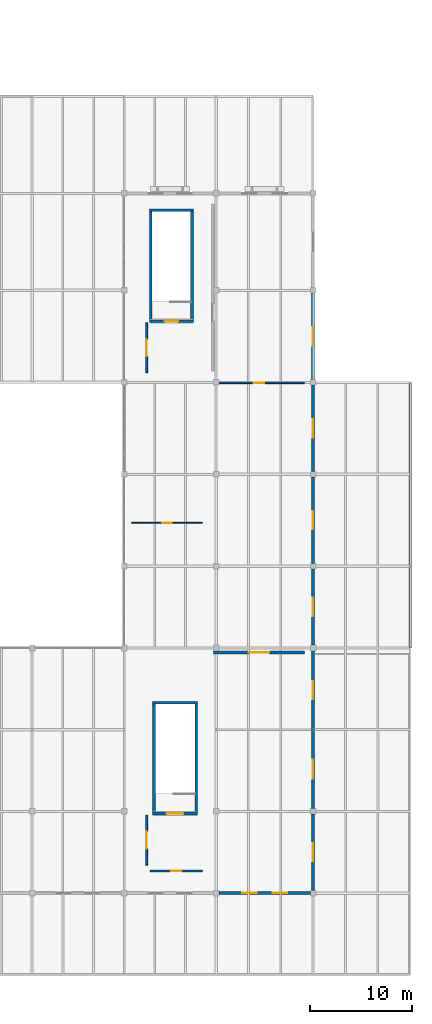
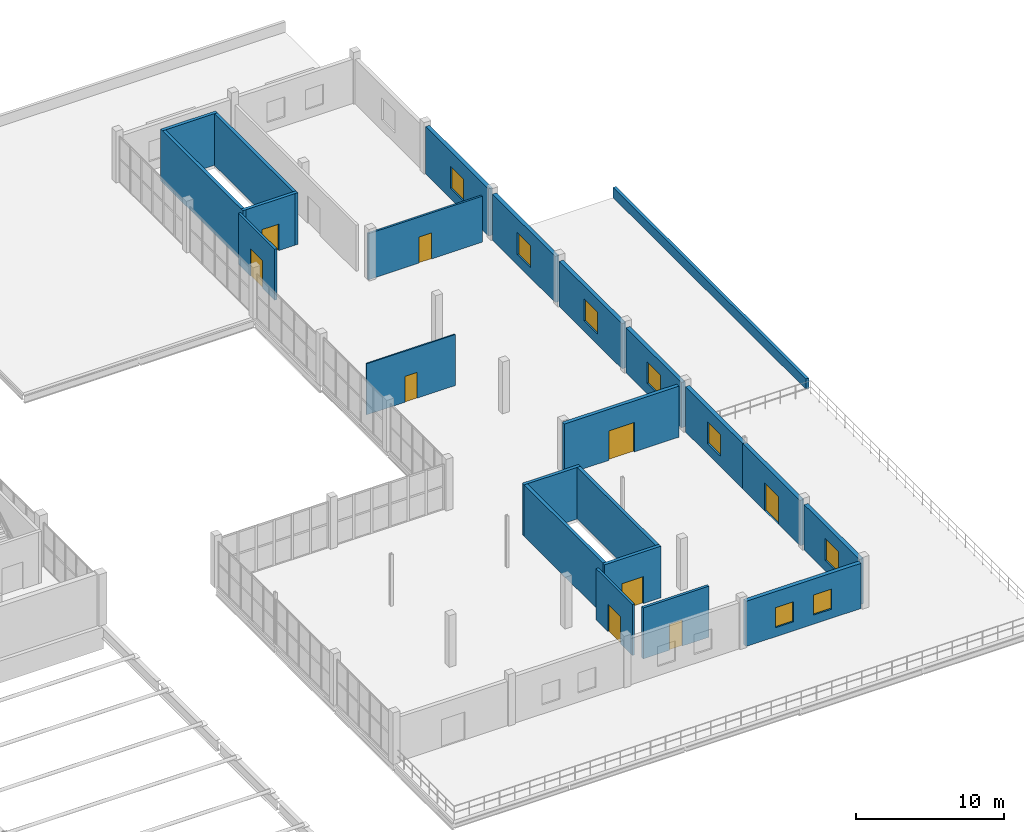
# One storey, part 44 of 54: 23 walls, 9 doors, 8 windows, 17 openings.
"""IFC4 building model written with IfcOpenShell, lengths in metres."""

from ifc_helpers import new_model, si_unit, direction, frame, frame_2d, origin, place, context, subcontext, project, spatial, rectangle, extrude, material, layer, layer_set, type_object, element, fill, save


model = new_model("IFC4")

# Units and contexts
model_context = context("Model", 3, precision=1e-05, world=origin(), true_north=direction((0.0, 1.0)))
body_context = subcontext(model_context, "Body", "Model", "MODEL_VIEW")
ifc_project = project(units=[si_unit("LENGTHUNIT", "METRE"), si_unit("AREAUNIT", "SQUARE_METRE"), si_unit("VOLUMEUNIT", "CUBIC_METRE"), si_unit("PLANEANGLEUNIT", "RADIAN"), si_unit("MASSUNIT", "GRAM", prefix="KILO")], contexts=[model_context])

# Site, building, storey
site_placement = place(None, origin())
site = spatial("IfcSite", under=ifc_project, at=site_placement, CompositionType="ELEMENT")
building_placement = place(site_placement, origin())
building = spatial("IfcBuilding", under=site, at=building_placement, Name="Marnock Terrace Opera House", CompositionType="ELEMENT")
storey_placement = place(building_placement, frame((0.0, 0.0, 19.199951171875)))
storey = spatial("IfcBuildingStorey", under=building, at=storey_placement, Name="L04", CompositionType="ELEMENT", Elevation=19.199951171875)

# Wall, openings, windows
ifc_material_1 = material(Name="Basket Range sandstone ashlar masonry", Category="masonry")
ifc_layer_1 = layer(ifc_material_1, 0.31005859375)
ifc_layer_set_1 = layer_set([ifc_layer_1], Name="Basket Range sandstone ashlar masonry")
wall_type_1 = type_object("IfcWallType", Name="EW-ATTIC-310", PredefinedType="SOLIDWALL", material=ifc_layer_set_1)
wall_1_placement = place(storey_placement, frame((145.27099609375, 16.0, 0.0), z_axis=(0.0, 0.0, 1.0), x_axis=(1.0, 0.0, 0.0)))
wall_1 = element("IfcWall", 1, at=wall_1_placement, inside=storey, type_object=wall_type_1, Name="L04 Volume 5 south sandstone facade 4", PredefinedType="SOLIDWALL", context=body_context, shape_type="SweptSolid", body=[
    extrude(rectangle(XDim=8.9580078125, YDim=0.31005859375, at=frame_2d((4.47900390625, 0.0))), origin(), (0.0, 0.0, 1.0), 3.717041015625),
])
opening_1_placement = place(wall_1_placement, frame((2.285888671875, 0.0, 0.75)))
opening_1 = element("IfcOpeningElement", 2, at=opening_1_placement, cuts=wall_1, Name="Opening WT-138", PredefinedType="OPENING", context=body_context, shape_type="SweptSolid", body=[
    extrude(rectangle(XDim=1.39990234375, YDim=1.64990234375, at=frame_2d((0.699951171875, 0.824951171875))), frame((0.0, 0.1650390625, 0.0), z_axis=(0.0, -1.0, 0.0), x_axis=(1.0, 0.0, 0.0)), (0.0, 0.0, 1.0), 0.330078125),
])
opening_2_placement = place(wall_1_placement, frame((5.27197265625, 0.0, 0.75)))
opening_2 = element("IfcOpeningElement", 3, at=opening_2_placement, cuts=wall_1, Name="Opening WT-138", PredefinedType="OPENING", context=body_context, shape_type="SweptSolid", body=[
    extrude(rectangle(XDim=1.39990234375, YDim=1.64990234375, at=frame_2d((0.699951171875, 0.824951171875))), frame((0.0, 0.1650390625, 0.0), z_axis=(0.0, -1.0, 0.0), x_axis=(1.0, 0.0, 0.0)), (0.0, 0.0, 1.0), 0.330078125),
])
ifc_material_2 = material(Name="Double-glazed acoustic low-E laminated glass", Category="glass")
window_type_1 = type_object("IfcWindowType", Name="WT-ATTIC-1400", PartitioningType="SINGLE_PANEL", PredefinedType="WINDOW", material=ifc_material_2)
window_1_placement = place(opening_1_placement, origin())
window_1 = element("IfcWindow", 4, at=window_1_placement, inside=storey, type_object=window_type_1, Name="L04 facade window EW-V5S-L04-4.1", OverallHeight=1.64990234375, OverallWidth=1.39990234375, PartitioningType="SINGLE_PANEL", PredefinedType="WINDOW", context=body_context, shape_type="SweptSolid", body=[
    extrude(rectangle(XDim=1.39990234375, YDim=1.64990234375, at=frame_2d((0.699951171875, 0.824951171875))), frame((0.0, 0.030029296875, 0.0), z_axis=(0.0, -1.0, 0.0), x_axis=(1.0, 0.0, 0.0)), (0.0, 0.0, 1.0), 0.06005859375),
])
fill(opening_1, window_1)
window_2_placement = place(opening_2_placement, origin())
window_2 = element("IfcWindow", 5, at=window_2_placement, inside=storey, type_object=window_type_1, Name="L04 facade window EW-V5S-L04-4.2", OverallHeight=1.64990234375, OverallWidth=1.39990234375, PartitioningType="SINGLE_PANEL", PredefinedType="WINDOW", context=body_context, shape_type="SweptSolid", body=[
    extrude(rectangle(XDim=1.39990234375, YDim=1.64990234375, at=frame_2d((0.699951171875, 0.824951171875))), frame((0.0, 0.030029296875, 0.0), z_axis=(0.0, -1.0, 0.0), x_axis=(1.0, 0.0, 0.0)), (0.0, 0.0, 1.0), 0.06005859375),
])
fill(opening_2, window_2)

# Wall, opening, window
wall_2_placement = place(storey_placement, frame((154.5, 16.27099609375, 0.0), z_axis=(0.0, 0.0, 1.0), x_axis=(0.0, 1.0, 0.0)))
wall_2 = element("IfcWall", 6, at=wall_2_placement, inside=storey, type_object=wall_type_1, Name="L04 Volume 5 east sandstone facade 2", PredefinedType="SOLIDWALL", context=body_context, shape_type="SweptSolid", body=[
    extrude(rectangle(XDim=7.4580078125, YDim=0.31005859375, at=frame_2d((3.72900390625, 0.0))), origin(), (0.0, 0.0, 1.0), 3.72216796875),
])
opening_3_placement = place(wall_2_placement, frame((2.8291015625, 0.0, 0.85009765625)))
opening_3 = element("IfcOpeningElement", 7, at=opening_3_placement, cuts=wall_2, Name="Opening WT-16", PredefinedType="OPENING", context=body_context, shape_type="SweptSolid", body=[
    extrude(rectangle(XDim=1.800048828125, YDim=1.800048828125, at=frame_2d((0.89990234375, 0.89990234375))), frame((0.0, 0.1650390625, 0.0), z_axis=(0.0, -1.0, 0.0), x_axis=(1.0, 0.0, 0.0)), (0.0, 0.0, 1.0), 0.330078125),
])
window_type_2 = type_object("IfcWindowType", Name="WT-ATTIC-1800", PartitioningType="DOUBLE_PANEL_VERTICAL", PredefinedType="WINDOW", material=ifc_material_2)
window_3_placement = place(opening_3_placement, origin())
window_3 = element("IfcWindow", 8, at=window_3_placement, inside=storey, type_object=window_type_2, Name="L04 facade window EW-V5E-L04-02.1", OverallHeight=1.800048828125, OverallWidth=1.800048828125, PartitioningType="SINGLE_PANEL", PredefinedType="WINDOW", context=body_context, shape_type="SweptSolid", body=[
    extrude(rectangle(XDim=1.800048828125, YDim=1.800048828125, at=frame_2d((0.89990234375, 0.89990234375))), frame((0.0, 0.030029296875, 0.0), z_axis=(0.0, -1.0, 0.0), x_axis=(1.0, 0.0, 0.0)), (0.0, 0.0, 1.0), 0.06005859375),
])
fill(opening_3, window_3)

# Wall, opening, door
wall_3_placement = place(storey_placement, frame((154.5, 24.27099609375, 0.0), z_axis=(0.0, 0.0, 1.0), x_axis=(0.0, 1.0, 0.0)))
wall_3 = element("IfcWall", 9, at=wall_3_placement, inside=storey, type_object=wall_type_1, Name="L04 Volume 5 east sandstone facade 3", PredefinedType="SOLIDWALL", context=body_context, shape_type="SweptSolid", body=[
    extrude(rectangle(XDim=7.72900390625, YDim=0.31005859375, at=frame_2d((3.864501953125, 0.0))), origin(), (0.0, 0.0, 1.0), 3.72216796875),
])
opening_4_placement = place(wall_3_placement, frame((2.939453125, 0.0, 0.0)))
opening_4 = element("IfcOpeningElement", 10, at=opening_4_placement, cuts=wall_3, Name="Opening TD-06", PredefinedType="OPENING", context=body_context, shape_type="SweptSolid", body=[
    extrude(rectangle(XDim=1.85009765625, YDim=2.280029296875, at=frame_2d((0.925048828125, 1.14013671875))), frame((0.0, 0.1650390625, 0.0), z_axis=(0.0, -1.0, 0.0), x_axis=(1.0, 0.0, 0.0)), (0.0, 0.0, 1.0), 0.330078125),
])
ifc_material_3 = material(Name="Anodised architectural bronze aluminium framing", Category="aluminium")
door_type_1 = type_object("IfcDoorType", Name="DT-TERR-1850", OperationType="NOTDEFINED", PredefinedType="DOOR", material=ifc_material_3)
door_1_placement = place(opening_4_placement, origin())
door_1 = element("IfcDoor", 11, at=door_1_placement, inside=storey, type_object=door_type_1, Name="Exterior door TD-06", OperationType="DOUBLE_DOOR_SINGLE_SWING", OverallHeight=2.280029296875, OverallWidth=1.85009765625, PredefinedType="DOOR", context=body_context, shape_type="SweptSolid", body=[
    extrude(rectangle(XDim=1.85009765625, YDim=2.280029296875, at=frame_2d((0.925048828125, 1.14013671875))), frame((0.0, 0.02490234375, 0.0), z_axis=(0.0, -1.0, 0.0), x_axis=(1.0, 0.0, 0.0)), (0.0, 0.0, 1.0), 0.050048828125),
])
fill(opening_4, door_1)

# Wall, opening, window
wall_4_placement = place(storey_placement, frame((154.5, 32.0, 0.0), z_axis=(0.0, 0.0, 1.0), x_axis=(0.0, 1.0, 0.0)))
wall_4 = element("IfcWall", 12, at=wall_4_placement, inside=storey, type_object=wall_type_1, Name="L04 Volume 5 east sandstone facade 4", PredefinedType="SOLIDWALL", context=body_context, shape_type="SweptSolid", body=[
    extrude(rectangle(XDim=7.72900390625, YDim=0.31005859375, at=frame_2d((3.864501953125, 0.0))), origin(), (0.0, 0.0, 1.0), 3.72216796875),
])
opening_5_placement = place(wall_4_placement, frame((2.964599609375, 0.0, 0.85009765625)))
opening_5 = element("IfcOpeningElement", 13, at=opening_5_placement, cuts=wall_4, Name="Opening WT-16", PredefinedType="OPENING", context=body_context, shape_type="SweptSolid", body=[
    extrude(rectangle(XDim=1.800048828125, YDim=1.800048828125, at=frame_2d((0.89990234375, 0.89990234375))), frame((0.0, 0.1650390625, 0.0), z_axis=(0.0, -1.0, 0.0), x_axis=(1.0, 0.0, 0.0)), (0.0, 0.0, 1.0), 0.330078125),
])
window_4_placement = place(opening_5_placement, origin())
window_4 = element("IfcWindow", 14, at=window_4_placement, inside=storey, type_object=window_type_2, Name="L04 facade window EW-V5E-L04-04.1", OverallHeight=1.800048828125, OverallWidth=1.800048828125, PartitioningType="SINGLE_PANEL", PredefinedType="WINDOW", context=body_context, shape_type="SweptSolid", body=[
    extrude(rectangle(XDim=1.800048828125, YDim=1.800048828125, at=frame_2d((0.89990234375, 0.89990234375))), frame((0.0, 0.030029296875, 0.0), z_axis=(0.0, -1.0, 0.0), x_axis=(1.0, 0.0, 0.0)), (0.0, 0.0, 1.0), 0.06005859375),
])
fill(opening_5, window_4)

wall_5_placement = place(storey_placement, frame((154.5, 40.27099609375, 0.0), z_axis=(0.0, 0.0, 1.0), x_axis=(0.0, 1.0, 0.0)))
wall_5 = element("IfcWall", 15, at=wall_5_placement, inside=storey, type_object=wall_type_1, Name="L04 Volume 5 east sandstone facade 5", PredefinedType="SOLIDWALL", context=body_context, shape_type="SweptSolid", body=[
    extrude(rectangle(XDim=7.4580078125, YDim=0.31005859375, at=frame_2d((3.72900390625, 0.0))), origin(), (0.0, 0.0, 1.0), 3.72216796875),
])
opening_6_placement = place(wall_5_placement, frame((2.8291015625, 0.0, 0.85009765625)))
opening_6 = element("IfcOpeningElement", 16, at=opening_6_placement, cuts=wall_5, Name="Opening WT-16", PredefinedType="OPENING", context=body_context, shape_type="SweptSolid", body=[
    extrude(rectangle(XDim=1.800048828125, YDim=1.800048828125, at=frame_2d((0.89990234375, 0.89990234375))), frame((0.0, 0.1650390625, 0.0), z_axis=(0.0, -1.0, 0.0), x_axis=(1.0, 0.0, 0.0)), (0.0, 0.0, 1.0), 0.330078125),
])
window_5_placement = place(opening_6_placement, origin())
window_5 = element("IfcWindow", 17, at=window_5_placement, inside=storey, type_object=window_type_2, Name="L04 facade window EW-V5E-L04-05.1", OverallHeight=1.800048828125, OverallWidth=1.800048828125, PartitioningType="SINGLE_PANEL", PredefinedType="WINDOW", context=body_context, shape_type="SweptSolid", body=[
    extrude(rectangle(XDim=1.800048828125, YDim=1.800048828125, at=frame_2d((0.89990234375, 0.89990234375))), frame((0.0, 0.030029296875, 0.0), z_axis=(0.0, -1.0, 0.0), x_axis=(1.0, 0.0, 0.0)), (0.0, 0.0, 1.0), 0.06005859375),
])
fill(opening_6, window_5)

wall_6_placement = place(storey_placement, frame((154.5, 48.27099609375, 0.0), z_axis=(0.0, 0.0, 1.0), x_axis=(0.0, 1.0, 0.0)))
wall_6 = element("IfcWall", 18, at=wall_6_placement, inside=storey, type_object=wall_type_1, Name="L04 Volume 5 east sandstone facade 6", PredefinedType="SOLIDWALL", context=body_context, shape_type="SweptSolid", body=[
    extrude(rectangle(XDim=8.4580078125, YDim=0.31005859375, at=frame_2d((4.22900390625, 0.0))), origin(), (0.0, 0.0, 1.0), 3.72216796875),
])
opening_7_placement = place(wall_6_placement, frame((3.3291015625, 0.0, 0.85009765625)))
opening_7 = element("IfcOpeningElement", 19, at=opening_7_placement, cuts=wall_6, Name="Opening WT-16", PredefinedType="OPENING", context=body_context, shape_type="SweptSolid", body=[
    extrude(rectangle(XDim=1.800048828125, YDim=1.800048828125, at=frame_2d((0.89990234375, 0.89990234375))), frame((0.0, 0.1650390625, 0.0), z_axis=(0.0, -1.0, 0.0), x_axis=(1.0, 0.0, 0.0)), (0.0, 0.0, 1.0), 0.330078125),
])
window_6_placement = place(opening_7_placement, origin())
window_6 = element("IfcWindow", 20, at=window_6_placement, inside=storey, type_object=window_type_2, Name="L04 facade window EW-V5E-L04-06.1", OverallHeight=1.800048828125, OverallWidth=1.800048828125, PartitioningType="SINGLE_PANEL", PredefinedType="WINDOW", context=body_context, shape_type="SweptSolid", body=[
    extrude(rectangle(XDim=1.800048828125, YDim=1.800048828125, at=frame_2d((0.89990234375, 0.89990234375))), frame((0.0, 0.030029296875, 0.0), z_axis=(0.0, -1.0, 0.0), x_axis=(1.0, 0.0, 0.0)), (0.0, 0.0, 1.0), 0.06005859375),
])
fill(opening_7, window_6)

wall_7_placement = place(storey_placement, frame((154.5, 57.27099609375, 0.0), z_axis=(0.0, 0.0, 1.0), x_axis=(0.0, 1.0, 0.0)))
wall_7 = element("IfcWall", 21, at=wall_7_placement, inside=storey, type_object=wall_type_1, Name="L04 Volume 5 east sandstone facade 7", PredefinedType="SOLIDWALL", context=body_context, shape_type="SweptSolid", body=[
    extrude(rectangle(XDim=8.4580078125, YDim=0.31005859375, at=frame_2d((4.22900390625, 0.0))), origin(), (0.0, 0.0, 1.0), 3.792724609375),
])
opening_8_placement = place(wall_7_placement, frame((3.3291015625, 0.0, 0.85009765625)))
opening_8 = element("IfcOpeningElement", 22, at=opening_8_placement, cuts=wall_7, Name="Opening WT-16", PredefinedType="OPENING", context=body_context, shape_type="SweptSolid", body=[
    extrude(rectangle(XDim=1.800048828125, YDim=1.800048828125, at=frame_2d((0.89990234375, 0.89990234375))), frame((0.0, 0.1650390625, 0.0), z_axis=(0.0, -1.0, 0.0), x_axis=(1.0, 0.0, 0.0)), (0.0, 0.0, 1.0), 0.330078125),
])
window_7_placement = place(opening_8_placement, origin())
window_7 = element("IfcWindow", 23, at=window_7_placement, inside=storey, type_object=window_type_2, Name="L04 facade window EW-V5E-L04-07.1", OverallHeight=1.800048828125, OverallWidth=1.800048828125, PartitioningType="SINGLE_PANEL", PredefinedType="WINDOW", context=body_context, shape_type="SweptSolid", body=[
    extrude(rectangle(XDim=1.800048828125, YDim=1.800048828125, at=frame_2d((0.89990234375, 0.89990234375))), frame((0.0, 0.030029296875, 0.0), z_axis=(0.0, -1.0, 0.0), x_axis=(1.0, 0.0, 0.0)), (0.0, 0.0, 1.0), 0.06005859375),
])
fill(opening_8, window_7)

wall_8_placement = place(storey_placement, frame((154.5, 66.27099609375, 0.0), z_axis=(0.0, 0.0, 1.0), x_axis=(0.0, 1.0, 0.0)))
wall_8 = element("IfcWall", 24, at=wall_8_placement, inside=storey, type_object=wall_type_1, Name="L04 Volume 5 east sandstone facade 8", PredefinedType="SOLIDWALL", context=body_context, shape_type="SweptSolid", body=[
    extrude(rectangle(XDim=8.4580078125, YDim=0.31005859375, at=frame_2d((4.22900390625, 0.0))), origin(), (0.0, 0.0, 1.0), 3.89453125),
])
opening_9_placement = place(wall_8_placement, frame((3.3291015625, 0.0, 0.85009765625)))
opening_9 = element("IfcOpeningElement", 25, at=opening_9_placement, cuts=wall_8, Name="Opening WT-16", PredefinedType="OPENING", context=body_context, shape_type="SweptSolid", body=[
    extrude(rectangle(XDim=1.800048828125, YDim=1.800048828125, at=frame_2d((0.89990234375, 0.89990234375))), frame((0.0, 0.1650390625, 0.0), z_axis=(0.0, -1.0, 0.0), x_axis=(1.0, 0.0, 0.0)), (0.0, 0.0, 1.0), 0.330078125),
])
window_8_placement = place(opening_9_placement, origin())
window_8 = element("IfcWindow", 26, at=window_8_placement, inside=storey, type_object=window_type_2, Name="L04 facade window EW-V5E-L04-08.1", OverallHeight=1.800048828125, OverallWidth=1.800048828125, PartitioningType="SINGLE_PANEL", PredefinedType="WINDOW", context=body_context, shape_type="SweptSolid", body=[
    extrude(rectangle(XDim=1.800048828125, YDim=1.800048828125, at=frame_2d((0.89990234375, 0.89990234375))), frame((0.0, 0.030029296875, 0.0), z_axis=(0.0, -1.0, 0.0), x_axis=(1.0, 0.0, 0.0)), (0.0, 0.0, 1.0), 0.06005859375),
])
fill(opening_9, window_8)

# Wall
ifc_material_4 = material(Name="Pale hydraulic lime architectural render on masonry", Category="masonry")
ifc_layer_2 = layer(ifc_material_4, 0.22998046875)
ifc_layer_set_2 = layer_set([ifc_layer_2], Name="Pale hydraulic lime architectural render on masonry")
wall_type_2 = type_object("IfcWallType", Name="EW-PARA-230", PredefinedType="PARAPET", material=ifc_layer_set_2)
wall_9_placement = place(storey_placement, frame((164.0, 40.0, 0.0), z_axis=(0.0, 0.0, 1.0), x_axis=(0.0, 1.0, 0.0)))
element("IfcWall", 27, at=wall_9_placement, inside=storey, type_object=wall_type_2, Name="Stone parapet PARA-V5-L04-E", PredefinedType="PARAPET", context=body_context, shape_type="SweptSolid", body=[
    extrude(rectangle(XDim=26.0, YDim=0.22998046875, at=frame_2d((13.0, 0.0))), origin(), (0.0, 0.0, 1.0), 0.85009765625),
])

# Wall, opening, door
ifc_material_5 = material(Name="Double-stud acoustic plasterboard with mineral-wool infill")
ifc_layer_3 = layer(ifc_material_5, 0.280029296875)
ifc_layer_set_3 = layer_set([ifc_layer_3], Name="Double-stud acoustic plasterboard with mineral-wool infill")
wall_type_3 = type_object("IfcWallType", Name="IW-ACOUSTIC-280", PredefinedType="PARTITIONING", material=ifc_layer_set_3)
wall_10_placement = place(storey_placement, frame((144.75, 39.550048828125, 0.0), z_axis=(0.0, 0.0, 1.0), x_axis=(1.0, 0.0, 0.0)))
wall_10 = element("IfcWall", 28, at=wall_10_placement, inside=storey, type_object=wall_type_3, Name="L04 Historic Instrument Conservation Studio acoustic partition wall", PredefinedType="PARTITIONING", context=body_context, shape_type="SweptSolid", body=[
    extrude(rectangle(XDim=8.89990234375, YDim=0.280029296875, at=frame_2d((4.449951171875, 0.0))), origin(), (0.0, 0.0, 1.0), 4.199951171875),
])
opening_10_placement = place(wall_10_placement, frame((3.4599609375, 0.0, 0.0)))
opening_10 = element("IfcOpeningElement", 29, at=opening_10_placement, cuts=wall_10, Name="Opening D-L04-07", PredefinedType="OPENING", context=body_context, shape_type="SweptSolid", body=[
    extrude(rectangle(XDim=1.97998046875, YDim=2.419921875, at=frame_2d((0.989990234375, 1.2099609375))), frame((0.0, 0.14990234375, 0.0), z_axis=(0.0, -1.0, 0.0), x_axis=(1.0, 0.0, 0.0)), (0.0, 0.0, 1.0), 0.300048828125),
])
ifc_material_6 = material(Name="Fire-rated acoustic timber-core door assembly", Category="wood")
door_type_2 = type_object("IfcDoorType", Name="DT-WORK-1980", OperationType="NOTDEFINED", PredefinedType="DOOR", material=ifc_material_6)
door_2_placement = place(opening_10_placement, origin())
door_2 = element("IfcDoor", 30, at=door_2_placement, inside=storey, type_object=door_type_2, Name="L04 Historic Instrument Conservation Studio entrance door", OperationType="DOUBLE_DOOR_SINGLE_SWING", OverallHeight=2.419921875, OverallWidth=1.97998046875, PredefinedType="DOOR", context=body_context, shape_type="SweptSolid", body=[
    extrude(rectangle(XDim=1.97998046875, YDim=2.419921875, at=frame_2d((0.989990234375, 1.2099609375))), frame((0.0, 0.02490234375, 0.0), z_axis=(0.0, -1.0, 0.0), x_axis=(1.0, 0.0, 0.0)), (0.0, 0.0, 1.0), 0.050048828125),
])
fill(opening_10, door_2)

ifc_material_7 = material(Name="Rendered acoustic concrete blockwork", Category="masonry")
ifc_layer_4 = layer(ifc_material_7, 0.18505859375)
ifc_layer_set_4 = layer_set([ifc_layer_4], Name="Rendered acoustic concrete blockwork")
wall_type_4 = type_object("IfcWallType", Name="IW-FIRE-185", PredefinedType="PARTITIONING", material=ifc_layer_set_4)
wall_11_placement = place(storey_placement, frame((138.199951171875, 18.75, 0.0), z_axis=(0.0, 0.0, 1.0), x_axis=(0.0, 1.0, 0.0)))
wall_11 = element("IfcWall", 31, at=wall_11_placement, inside=storey, type_object=wall_type_4, Name="L04 C6 fire-rated lift and stair lobby wall", PredefinedType="PARTITIONING", context=body_context, shape_type="SweptSolid", body=[
    extrude(rectangle(XDim=4.89990234375, YDim=0.18505859375, at=frame_2d((2.449951171875, 0.0))), origin(), (0.0, 0.0, 1.0), 4.199951171875),
])
opening_11_placement = place(wall_11_placement, frame((1.610107421875, 0.0, 0.0)))
opening_11 = element("IfcOpeningElement", 32, at=opening_11_placement, cuts=wall_11, Name="Opening FD-C6-L04", PredefinedType="OPENING", context=body_context, shape_type="SweptSolid", body=[
    extrude(rectangle(XDim=1.679931640625, YDim=2.25, at=frame_2d((0.83984375, 1.125))), frame((0.0, 0.1025390625, 0.0), z_axis=(0.0, -1.0, 0.0), x_axis=(1.0, 0.0, 0.0)), (0.0, 0.0, 1.0), 0.205078125),
])
door_type_3 = type_object("IfcDoorType", Name="DT-LOBBY-1680", OperationType="NOTDEFINED", PredefinedType="DOOR", material=ifc_material_6)
door_3_placement = place(opening_11_placement, origin())
door_3 = element("IfcDoor", 33, at=door_3_placement, inside=storey, type_object=door_type_3, Name="L04 C6 lobby self-closing smoke door", OperationType="SINGLE_SWING_RIGHT", OverallHeight=2.25, OverallWidth=1.679931640625, PredefinedType="DOOR", context=body_context, shape_type="SweptSolid", body=[
    extrude(rectangle(XDim=1.679931640625, YDim=2.25, at=frame_2d((0.83984375, 1.125))), frame((0.0, 0.02490234375, 0.0), z_axis=(0.0, -1.0, 0.0), x_axis=(1.0, 0.0, 0.0)), (0.0, 0.0, 1.0), 0.050048828125),
])
fill(opening_11, door_3)

wall_12_placement = place(storey_placement, frame((138.199951171875, 66.949951171875, 0.0), z_axis=(0.0, 0.0, 1.0), x_axis=(0.0, 1.0, 0.0)))
wall_12 = element("IfcWall", 34, at=wall_12_placement, inside=storey, type_object=wall_type_4, Name="L04 C8 fire-rated lift and stair lobby wall", PredefinedType="PARTITIONING", context=body_context, shape_type="SweptSolid", body=[
    extrude(rectangle(XDim=4.900146484375, YDim=0.18505859375, at=frame_2d((2.4501953125, 0.0))), origin(), (0.0, 0.0, 1.0), 4.199951171875),
])
opening_12_placement = place(wall_12_placement, frame((1.610107421875, 0.0, 0.0)))
opening_12 = element("IfcOpeningElement", 35, at=opening_12_placement, cuts=wall_12, Name="Opening FD-C8-L04", PredefinedType="OPENING", context=body_context, shape_type="SweptSolid", body=[
    extrude(rectangle(XDim=1.679931640625, YDim=2.25, at=frame_2d((0.83984375, 1.125))), frame((0.0, 0.1025390625, 0.0), z_axis=(0.0, -1.0, 0.0), x_axis=(1.0, 0.0, 0.0)), (0.0, 0.0, 1.0), 0.205078125),
])
door_4_placement = place(opening_12_placement, origin())
door_4 = element("IfcDoor", 36, at=door_4_placement, inside=storey, type_object=door_type_3, Name="L04 C8 lobby self-closing smoke door", OperationType="SINGLE_SWING_RIGHT", OverallHeight=2.25, OverallWidth=1.679931640625, PredefinedType="DOOR", context=body_context, shape_type="SweptSolid", body=[
    extrude(rectangle(XDim=1.679931640625, YDim=2.25, at=frame_2d((0.83984375, 1.125))), frame((0.0, 0.02490234375, 0.0), z_axis=(0.0, -1.0, 0.0), x_axis=(1.0, 0.0, 0.0)), (0.0, 0.0, 1.0), 0.050048828125),
])
fill(opening_12, door_4)

ifc_material_8 = material(Name="Motorised aluminium-framed acoustic operable partition", Category="aluminium")
ifc_layer_5 = layer(ifc_material_8, 0.152099609375)
ifc_layer_set_5 = layer_set([ifc_layer_5], Name="Motorised aluminium-framed acoustic operable partition")
wall_type_5 = type_object("IfcWallType", Name="IW-MOVABLE-152", PredefinedType="MOVABLE", material=ifc_layer_set_5)
wall_13_placement = place(storey_placement, frame((144.75, 65.949951171875, 0.0), z_axis=(0.0, 0.0, 1.0), x_axis=(1.0, 0.0, 0.0)))
wall_13 = element("IfcWall", 37, at=wall_13_placement, inside=storey, type_object=wall_type_5, Name="L04 Chamber Music Practice Room acoustic partition wall", PredefinedType="MOVABLE", context=body_context, shape_type="SweptSolid", body=[
    extrude(rectangle(XDim=8.89990234375, YDim=0.152099609375, at=frame_2d((4.449951171875, 0.0))), origin(), (0.0, 0.0, 1.0), 3.78955078125),
])
opening_13_placement = place(wall_13_placement, frame((3.949951171875, 0.0, 0.0)))
opening_13 = element("IfcOpeningElement", 38, at=opening_13_placement, cuts=wall_13, Name="Opening D-L04-08", PredefinedType="OPENING", context=body_context, shape_type="SweptSolid", body=[
    extrude(rectangle(XDim=1.0, YDim=2.14990234375, at=frame_2d((0.5, 1.074951171875))), frame((0.0, 0.0859375, 0.0), z_axis=(0.0, -1.0, 0.0), x_axis=(1.0, 0.0, 0.0)), (0.0, 0.0, 1.0), 0.172119140625),
])
ifc_material_9 = material(Name="Solid-core Tasmanian oak acoustic door leaf")
door_type_4 = type_object("IfcDoorType", Name="DT-ROOM-1000", OperationType="NOTDEFINED", PredefinedType="DOOR", material=ifc_material_9)
door_5_placement = place(opening_13_placement, origin())
door_5 = element("IfcDoor", 39, at=door_5_placement, inside=storey, type_object=door_type_4, Name="L04 Chamber Music Practice Room entrance door", OperationType="SINGLE_SWING_LEFT", OverallHeight=2.14990234375, OverallWidth=1.0, PredefinedType="DOOR", context=body_context, shape_type="SweptSolid", body=[
    extrude(rectangle(XDim=1.0, YDim=2.14990234375, at=frame_2d((0.5, 1.074951171875))), frame((0.0, 0.02490234375, 0.0), z_axis=(0.0, -1.0, 0.0), x_axis=(1.0, 0.0, 0.0)), (0.0, 0.0, 1.0), 0.050048828125),
])
fill(opening_13, door_5)

ifc_layer_6 = layer(ifc_material_5, 0.10791015625)
ifc_layer_set_6 = layer_set([ifc_layer_6], Name="Double-stud acoustic plasterboard with mineral-wool infill")
wall_type_6 = type_object("IfcWallType", Name="IW-PART-108", PredefinedType="PARTITIONING", material=ifc_layer_set_6)
wall_14_placement = place(storey_placement, frame((136.75, 52.25, 0.0), z_axis=(0.0, 0.0, 1.0), x_axis=(1.0, 0.0, 0.0)))
wall_14 = element("IfcWall", 40, at=wall_14_placement, inside=storey, type_object=wall_type_6, Name="L04 Opera Broadcast Archive Room acoustic partition wall", PredefinedType="PARTITIONING", context=body_context, shape_type="SweptSolid", body=[
    extrude(rectangle(XDim=6.89990234375, YDim=0.10791015625, at=frame_2d((3.449951171875, 0.0))), origin(), (0.0, 0.0, 1.0), 4.199951171875),
])
opening_14_placement = place(wall_14_placement, frame((2.989990234375, 0.0, 0.0)))
opening_14 = element("IfcOpeningElement", 41, at=opening_14_placement, cuts=wall_14, Name="Opening D-L04-10", PredefinedType="OPENING", context=body_context, shape_type="SweptSolid", body=[
    extrude(rectangle(XDim=0.919921875, YDim=2.1201171875, at=frame_2d((0.4599609375, 1.06005859375))), frame((0.0, 0.06396484375, 0.0), z_axis=(0.0, -1.0, 0.0), x_axis=(1.0, 0.0, 0.0)), (0.0, 0.0, 1.0), 0.1279296875),
])
door_type_5 = type_object("IfcDoorType", Name="DT-ROOM-920", OperationType="NOTDEFINED", PredefinedType="DOOR", material=ifc_material_9)
door_6_placement = place(opening_14_placement, origin())
door_6 = element("IfcDoor", 42, at=door_6_placement, inside=storey, type_object=door_type_5, Name="L04 Opera Broadcast Archive Room entrance door", OperationType="SINGLE_SWING_LEFT", OverallHeight=2.1201171875, OverallWidth=0.919921875, PredefinedType="DOOR", context=body_context, shape_type="SweptSolid", body=[
    extrude(rectangle(XDim=0.919921875, YDim=2.1201171875, at=frame_2d((0.4599609375, 1.06005859375))), frame((0.0, 0.02490234375, 0.0), z_axis=(0.0, -1.0, 0.0), x_axis=(1.0, 0.0, 0.0)), (0.0, 0.0, 1.0), 0.050048828125),
])
fill(opening_14, door_6)

ifc_material_10 = material(Name="Moisture-resistant tiled service duct framing")
ifc_layer_7 = layer(ifc_material_10, 0.205078125)
ifc_layer_set_7 = layer_set([ifc_layer_7], Name="Moisture-resistant tiled service duct framing")
wall_type_7 = type_object("IfcWallType", Name="IW-PLUMB-205", PredefinedType="PLUMBINGWALL", material=ifc_layer_set_7)
wall_15_placement = place(storey_placement, frame((138.550048828125, 18.14990234375, 0.0), z_axis=(0.0, 0.0, 1.0), x_axis=(1.0, 0.0, 0.0)))
wall_15 = element("IfcWall", 43, at=wall_15_placement, inside=storey, type_object=wall_type_7, Name="L04 Staff WC L04 East acoustic partition wall", PredefinedType="PLUMBINGWALL", context=body_context, shape_type="SweptSolid", body=[
    extrude(rectangle(XDim=5.099853515625, YDim=0.205078125, at=frame_2d((2.5498046875, 0.0))), origin(), (0.0, 0.0, 1.0), 4.199951171875),
])
opening_15_placement = place(wall_15_placement, frame((2.06005859375, 0.0, 0.0)))
opening_15 = element("IfcOpeningElement", 44, at=opening_15_placement, cuts=wall_15, Name="Opening D-L04-14", PredefinedType="OPENING", context=body_context, shape_type="SweptSolid", body=[
    extrude(rectangle(XDim=0.97998046875, YDim=2.139892578125, at=frame_2d((0.489990234375, 1.06982421875))), frame((0.0, 0.112548828125, 0.0), z_axis=(0.0, -1.0, 0.0), x_axis=(1.0, 0.0, 0.0)), (0.0, 0.0, 1.0), 0.22509765625),
])
door_type_6 = type_object("IfcDoorType", Name="DT-WC-980", OperationType="NOTDEFINED", PredefinedType="DOOR", material=ifc_material_9)
door_7_placement = place(opening_15_placement, origin())
door_7 = element("IfcDoor", 45, at=door_7_placement, inside=storey, type_object=door_type_6, Name="L04 Staff WC L04 East entrance door", OperationType="SINGLE_SWING_RIGHT", OverallHeight=2.139892578125, OverallWidth=0.97998046875, PredefinedType="DOOR", context=body_context, shape_type="SweptSolid", body=[
    extrude(rectangle(XDim=0.97998046875, YDim=2.139892578125, at=frame_2d((0.489990234375, 1.06982421875))), frame((0.0, 0.02490234375, 0.0), z_axis=(0.0, -1.0, 0.0), x_axis=(1.0, 0.0, 0.0)), (0.0, 0.0, 1.0), 0.050048828125),
])
fill(opening_15, door_7)

ifc_material_11 = material(Name="Concrete N40 (f'c = 40 MPa)", Category="concrete")
ifc_layer_8 = layer(ifc_material_11, 0.25)
ifc_layer_set_8 = layer_set([ifc_layer_8], Name="Concrete N40 (f'c = 40 MPa)")
wall_type_8 = type_object("IfcWallType", Name="SW-CORE-250", PredefinedType="SHEAR", material=ifc_layer_set_8)
wall_16_placement = place(storey_placement, frame((138.794921875, 23.800048828125, 0.0), z_axis=(0.0, 0.0, 1.0), x_axis=(1.0, 0.0, 0.0)))
wall_16 = element("IfcWall", 46, at=wall_16_placement, inside=storey, type_object=wall_type_8, Name="L04 Core C6 FRL 120/120/120 shear wall S", PredefinedType="SHEAR", context=body_context, shape_type="SweptSolid", body=[
    extrude(rectangle(XDim=4.3701171875, YDim=0.25, at=frame_2d((2.18505859375, 0.0))), origin(), (0.0, 0.0, 1.0), 4.25),
])
opening_16_placement = place(wall_16_placement, frame((1.360107421875, 0.0, 0.0)))
opening_16 = element("IfcOpeningElement", 47, at=opening_16_placement, cuts=wall_16, Name="Opening SD-C6-L04", PredefinedType="OPENING", context=body_context, shape_type="SweptSolid", body=[
    extrude(rectangle(XDim=1.64990234375, YDim=2.219970703125, at=frame_2d((0.824951171875, 1.10986328125))), frame((0.0, 0.135009765625, 0.0), z_axis=(0.0, -1.0, 0.0), x_axis=(1.0, 0.0, 0.0)), (0.0, 0.0, 1.0), 0.27001953125),
])
door_type_7 = type_object("IfcDoorType", Name="DT-STAIR-1650", OperationType="NOTDEFINED", PredefinedType="DOOR", material=ifc_material_6)
door_8_placement = place(opening_16_placement, origin())
door_8 = element("IfcDoor", 48, at=door_8_placement, inside=storey, type_object=door_type_7, Name="L04 Stair ST-06 fire-isolated exit door", OperationType="SINGLE_SWING_LEFT", OverallHeight=2.219970703125, OverallWidth=1.64990234375, PredefinedType="DOOR", context=body_context, shape_type="SweptSolid", body=[
    extrude(rectangle(XDim=1.64990234375, YDim=2.219970703125, at=frame_2d((0.824951171875, 1.10986328125))), frame((0.0, 0.02490234375, 0.0), z_axis=(0.0, -1.0, 0.0), x_axis=(1.0, 0.0, 0.0)), (0.0, 0.0, 1.0), 0.050048828125),
])
fill(opening_16, door_8)

# Walls
wall_17_placement = place(storey_placement, frame((138.794921875, 34.639892578125, 0.0), z_axis=(0.0, 0.0, 1.0), x_axis=(1.0, 0.0, 0.0)))
element("IfcWall", 49, at=wall_17_placement, inside=storey, type_object=wall_type_8, Name="L04 Core C6 FRL 120/120/120 shear wall N", PredefinedType="SHEAR", context=body_context, shape_type="SweptSolid", body=[
    extrude(rectangle(XDim=4.3701171875, YDim=0.25, at=frame_2d((2.18505859375, 0.0))), origin(), (0.0, 0.0, 1.0), 4.25),
])
for number, where, z_axis, x_axis, name in (
    (50, (138.919921875, 23.675048828125, 0.0), (0.0, 0.0, 1.0), (0.0, 1.0, 0.0), "L04 Core C6 FRL 120/120/120 shear wall W"),
    (51, (143.0400390625, 23.675048828125, 0.0), (0.0, 0.0, 1.0), (0.0, 1.0, 0.0), "L04 Core C6 FRL 120/120/120 shear wall E"),
):
    element("IfcWall", number, at=place(storey_placement, frame(where, z_axis=z_axis, x_axis=x_axis)), inside=storey, type_object=wall_type_8, Name=name, PredefinedType="SHEAR", context=body_context, shape_type="SweptSolid", body=[
        extrude(rectangle(XDim=11.08984375, YDim=0.25, at=frame_2d((5.544921875, 0.0))), origin(), (0.0, 0.0, 1.0), 4.25),
    ])

# Wall, opening, door
wall_18_placement = place(storey_placement, frame((138.47509765625, 72.0, 0.0), z_axis=(0.0, 0.0, 1.0), x_axis=(1.0, 0.0, 0.0)))
wall_18 = element("IfcWall", 52, at=wall_18_placement, inside=storey, type_object=wall_type_8, Name="L04 Core C8 FRL 120/120/120 shear wall S", PredefinedType="SHEAR", context=body_context, shape_type="SweptSolid", body=[
    extrude(rectangle(XDim=4.289794921875, YDim=0.25, at=frame_2d((2.14501953125, 0.0))), origin(), (0.0, 0.0, 1.0), 4.25),
])
opening_17_placement = place(wall_18_placement, frame((1.4951171875, 0.0, 0.0)))
opening_17 = element("IfcOpeningElement", 53, at=opening_17_placement, cuts=wall_18, Name="Opening SD-C8-L04", PredefinedType="OPENING", context=body_context, shape_type="SweptSolid", body=[
    extrude(rectangle(XDim=1.300048828125, YDim=2.179931640625, at=frame_2d((0.64990234375, 1.08984375))), frame((0.0, 0.135009765625, 0.0), z_axis=(0.0, -1.0, 0.0), x_axis=(1.0, 0.0, 0.0)), (0.0, 0.0, 1.0), 0.27001953125),
])
door_type_8 = type_object("IfcDoorType", Name="DT-STAIR-1300", OperationType="NOTDEFINED", PredefinedType="DOOR", material=ifc_material_6)
door_9_placement = place(opening_17_placement, origin())
door_9 = element("IfcDoor", 54, at=door_9_placement, inside=storey, type_object=door_type_8, Name="L04 Stair ST-08 fire-isolated exit door", OperationType="SINGLE_SWING_LEFT", OverallHeight=2.179931640625, OverallWidth=1.300048828125, PredefinedType="DOOR", context=body_context, shape_type="SweptSolid", body=[
    extrude(rectangle(XDim=1.300048828125, YDim=2.179931640625, at=frame_2d((0.64990234375, 1.08984375))), frame((0.0, 0.02490234375, 0.0), z_axis=(0.0, -1.0, 0.0), x_axis=(1.0, 0.0, 0.0)), (0.0, 0.0, 1.0), 0.050048828125),
])
fill(opening_17, door_9)

# Walls
wall_19_placement = place(storey_placement, frame((138.47509765625, 82.840087890625, 0.0), z_axis=(0.0, 0.0, 1.0), x_axis=(1.0, 0.0, 0.0)))
element("IfcWall", 55, at=wall_19_placement, inside=storey, type_object=wall_type_8, Name="L04 Core C8 FRL 120/120/120 shear wall N", PredefinedType="SHEAR", context=body_context, shape_type="SweptSolid", body=[
    extrude(rectangle(XDim=4.289794921875, YDim=0.25, at=frame_2d((2.14501953125, 0.0))), origin(), (0.0, 0.0, 1.0), 4.25),
])
for number, where, z_axis, x_axis, name in (
    (56, (138.60009765625, 71.875, 0.0), (0.0, 0.0, 1.0), (0.0, 1.0, 0.0), "L04 Core C8 FRL 120/120/120 shear wall W"),
    (57, (142.639892578125, 71.875, 0.0), (0.0, 0.0, 1.0), (0.0, 1.0, 0.0), "L04 Core C8 FRL 120/120/120 shear wall E"),
):
    element("IfcWall", number, at=place(storey_placement, frame(where, z_axis=z_axis, x_axis=x_axis)), inside=storey, type_object=wall_type_8, Name=name, PredefinedType="SHEAR", context=body_context, shape_type="SweptSolid", body=[
        extrude(rectangle(XDim=11.090087890625, YDim=0.25, at=frame_2d((5.544921875, 0.0))), origin(), (0.0, 0.0, 1.0), 4.25),
    ])

save(model, "model.ifc")
